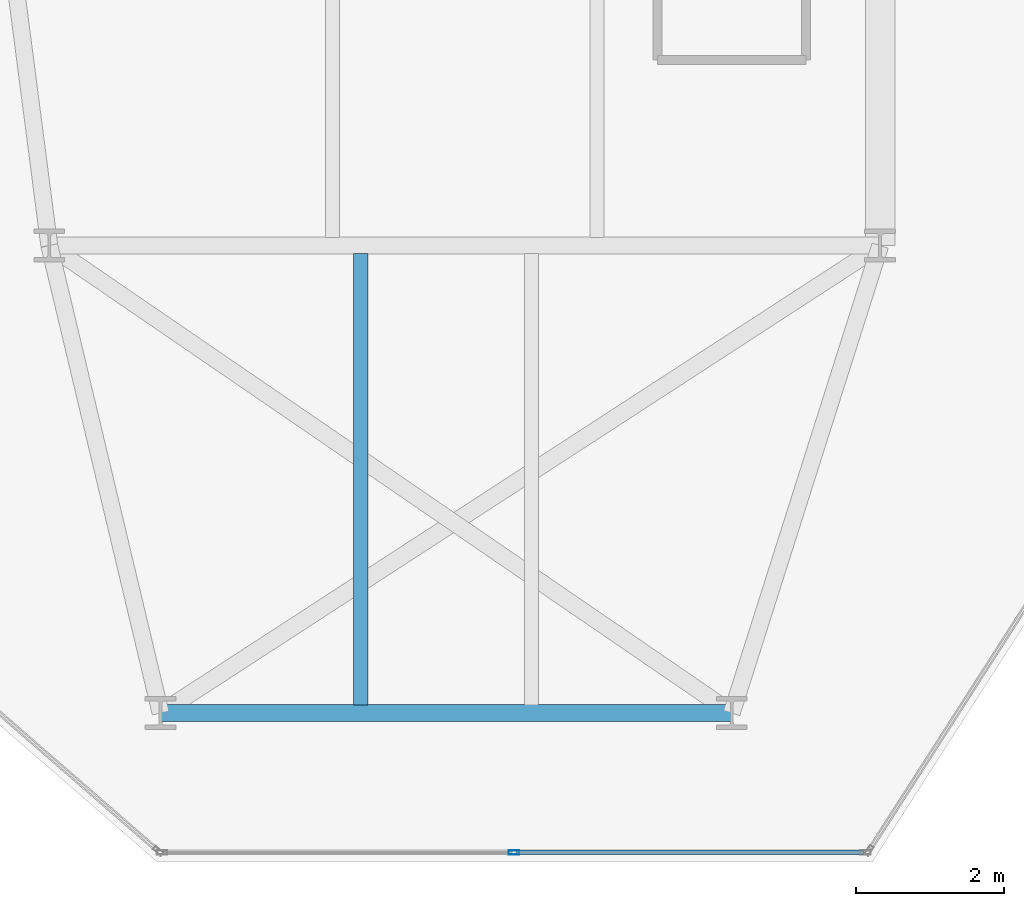
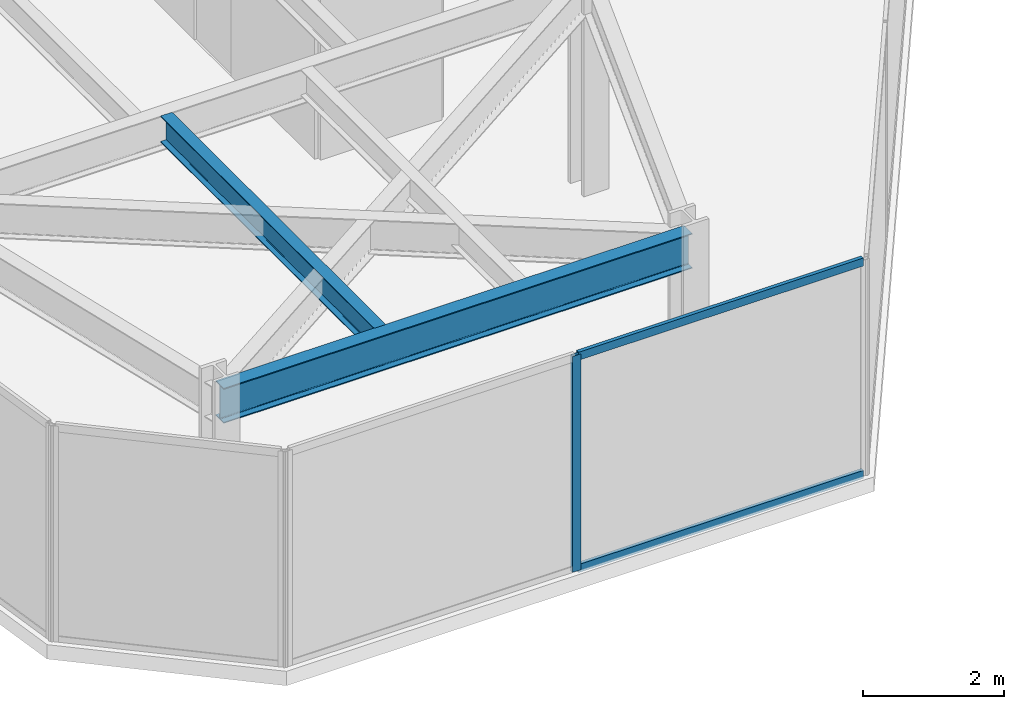
# One storey, part 3 of 26: 3 members, 2 beams, 1 element without a shape of its own.
"""IFC4 building model written with IfcOpenShell, lengths in metres."""

from ifc_helpers import new_model, si_unit, direction, frame, origin, origin_2d, place, context, subcontext, project, spatial, hollow_rectangle, i_section, extrude, material, layer, layer_set, material_profile, profile_set, type_object, element, aggregate, save


model = new_model("IFC4")

# Units and contexts
model_context = context("Model", 3, precision=1e-05, world=origin(), true_north=direction((0.0, 1.0)))
body_context = subcontext(model_context, "Body", "Model", "MODEL_VIEW")
ifc_project = project(units=[si_unit("LENGTHUNIT", "METRE"), si_unit("AREAUNIT", "SQUARE_METRE"), si_unit("VOLUMEUNIT", "CUBIC_METRE"), si_unit("PLANEANGLEUNIT", "RADIAN"), si_unit("MASSUNIT", "GRAM", prefix="KILO")], contexts=[model_context])

# Site, building, storey
site_placement = place(None, origin())
site = spatial("IfcSite", under=ifc_project, at=site_placement, CompositionType="ELEMENT")
building_placement = place(site_placement, origin())
building = spatial("IfcBuilding", under=site, at=building_placement, Name="Kravanh Interchange Tower", CompositionType="ELEMENT")
storey_placement = place(building_placement, frame((0.0, 0.0, 140.0)))
storey = spatial("IfcBuildingStorey", under=building, at=storey_placement, Name="L33", CompositionType="ELEMENT", Elevation=140.0)

# Curtain wall, members
ifc_material_1 = material(Name="Anodised Bronze Aluminium", Category="aluminium")
ifc_layer = layer(ifc_material_1, 0.179931640625)
ifc_layer_set = layer_set([ifc_layer], Name="Unitised Curtain Wall System CW-Z2 Mid Office")
curtain_wall_type = type_object("IfcCurtainWallType", Name="Unitised Curtain Wall System CW-Z2 Mid Office", PredefinedType="NOTDEFINED", material=ifc_layer_set)
curtain_wall_placement = place(storey_placement, origin())
curtain_wall = element("IfcCurtainWall", 1, at=curtain_wall_placement, inside=storey, type_object=curtain_wall_type, Name="L33 Unitised Curtain Wall CW-L33-06", PredefinedType="NOTDEFINED")
ifc_material_2 = material(Name="Anodised Bronze Aluminium", Category="aluminium")
ifc_material_profile_1 = material_profile(ifc_material_2, hollow_rectangle(XDim=0.06005859375, YDim=0.139892578125, WallThickness=0.00390625, at=origin_2d()), Name="ALU60X140X4")
ifc_profile_set_1 = profile_set([ifc_material_profile_1], Name="Anodised Bronze Aluminium")
member_type_1 = type_object("IfcMemberType", Name="Curtain Wall Mullion ALU60X140X4 Bronze", PredefinedType="MULLION", material=ifc_profile_set_1)
member_1_placement = place(storey_placement, frame((22.26220703125, 6.320068359375, 0.0), z_axis=(0.0, 0.0, 1.0), x_axis=(0.0, -1.0, 0.0)))
member_1 = element("IfcMember", 2, at=member_1_placement, type_object=member_type_1, Name="CW-Z2 mullion 2", PredefinedType="MULLION", context=body_context, shape_type="SweptSolid", body=[
    extrude(hollow_rectangle(XDim=0.06005859375, YDim=0.139892578125, WallThickness=0.00390625, at=origin_2d()), origin(), (0.0, 0.0, 1.0), 3.75),
])
ifc_material_3 = material(Name="Anodised Bronze Aluminium", Category="aluminium")
ifc_material_profile_2 = material_profile(ifc_material_3, hollow_rectangle(XDim=0.06005859375, YDim=0.139892578125, WallThickness=0.00390625, at=origin_2d()), Name="ALU60X140X4")
ifc_profile_set_2 = profile_set([ifc_material_profile_2], Name="Anodised Bronze Aluminium")
member_type_2 = type_object("IfcMemberType", Name="Curtain Wall Transom ALU60X140X4 Bronze", PredefinedType="USERDEFINED", material=ifc_profile_set_2)
member_2_placement = place(storey_placement, frame((26.974365234375, 6.320068359375, 0.030029296875), z_axis=(-1.0, 0.0, 0.0), x_axis=(0.0, -1.0, 0.0)))
member_2 = element("IfcMember", 3, at=member_2_placement, type_object=member_type_2, Name="CW-Z2 transom 1.1", ObjectType="TRANSOM", PredefinedType="USERDEFINED", context=body_context, shape_type="SweptSolid", body=[
    extrude(hollow_rectangle(XDim=0.06005859375, YDim=0.139892578125, WallThickness=0.00390625, at=origin_2d()), origin(), (0.0, 0.0, 1.0), 4.682373046875),
])
member_3_placement = place(storey_placement, frame((26.974365234375, 6.320068359375, 3.719970703125), z_axis=(-1.0, 0.0, 0.0), x_axis=(0.0, -1.0, 0.0)))
member_3 = element("IfcMember", 4, at=member_3_placement, type_object=member_type_2, Name="CW-Z2 transom 1.2", ObjectType="TRANSOM", PredefinedType="USERDEFINED", context=body_context, shape_type="SweptSolid", body=[
    extrude(hollow_rectangle(XDim=0.06005859375, YDim=0.139892578125, WallThickness=0.00390625, at=origin_2d()), origin(), (0.0, 0.0, 1.0), 4.682373046875),
])
aggregate(curtain_wall, [member_1, member_2, member_3])

# Beams
ifc_material_4 = material(Name="Structural Steel S355", Category="steel")
ifc_material_profile_3 = material_profile(ifc_material_4, i_section(OverallWidth=0.18994140625, OverallDepth=0.45703125, WebThickness=0.009033203125, FlangeThickness=0.014404296875, FilletRadius=0.01806640625, at=origin_2d()), Name="W18X50")
ifc_profile_set_3 = profile_set([ifc_material_profile_3], Name="Structural Steel S355")
beam_type_1 = type_object("IfcBeamType", Name="Floor Joist W18X50 Structural Steel S355", PredefinedType="JOIST", material=ifc_profile_set_3)
beam_1_placement = place(storey_placement, frame((20.197998046875, 8.30908203125, 3.521484375), z_axis=(0.0, 1.0, 0.0), x_axis=(-1.0, 0.0, 0.0)))
element("IfcBeam", 5, at=beam_1_placement, inside=storey, type_object=beam_type_1, Name="L33 Secondary Floor Joist 1", PredefinedType="JOIST", context=body_context, shape_type="SweptSolid", body=[
    extrude(i_section(OverallWidth=0.18994140625, OverallDepth=0.45703125, WebThickness=0.009033203125, FlangeThickness=0.014404296875, FilletRadius=0.01806640625, at=origin_2d()), origin(), (0.0, 0.0, 1.0), 6.08203125),
])
ifc_material_5 = material(Name="Structural Steel S355", Category="steel")
ifc_material_profile_4 = material_profile(ifc_material_5, i_section(OverallWidth=0.22802734375, OverallDepth=0.60791015625, WebThickness=0.01123046875, FlangeThickness=0.017333984375, FilletRadius=0.02197265625, at=origin_2d()), Name="W24X76")
ifc_profile_set_4 = profile_set([ifc_material_profile_4], Name="Structural Steel S355")
beam_type_2 = type_object("IfcBeamType", Name="Floor Spandrel W24X76 Structural Steel S355", PredefinedType="SPANDREL", material=ifc_profile_set_4)
beam_2_placement = place(storey_placement, frame((17.5, 8.199951171875, 3.446044921875), z_axis=(1.0, 0.0, 0.0), x_axis=(0.0, 1.0, 0.0)))
element("IfcBeam", 6, at=beam_2_placement, inside=storey, type_object=beam_type_2, Name="L33 Perimeter Spandrel 35", PredefinedType="SPANDREL", context=body_context, shape_type="SweptSolid", body=[
    extrude(i_section(OverallWidth=0.22802734375, OverallDepth=0.60791015625, WebThickness=0.01123046875, FlangeThickness=0.017333984375, FilletRadius=0.02197265625, at=origin_2d()), origin(), (0.0, 0.0, 1.0), 7.699951171875),
])

save(model, "model.ifc")
